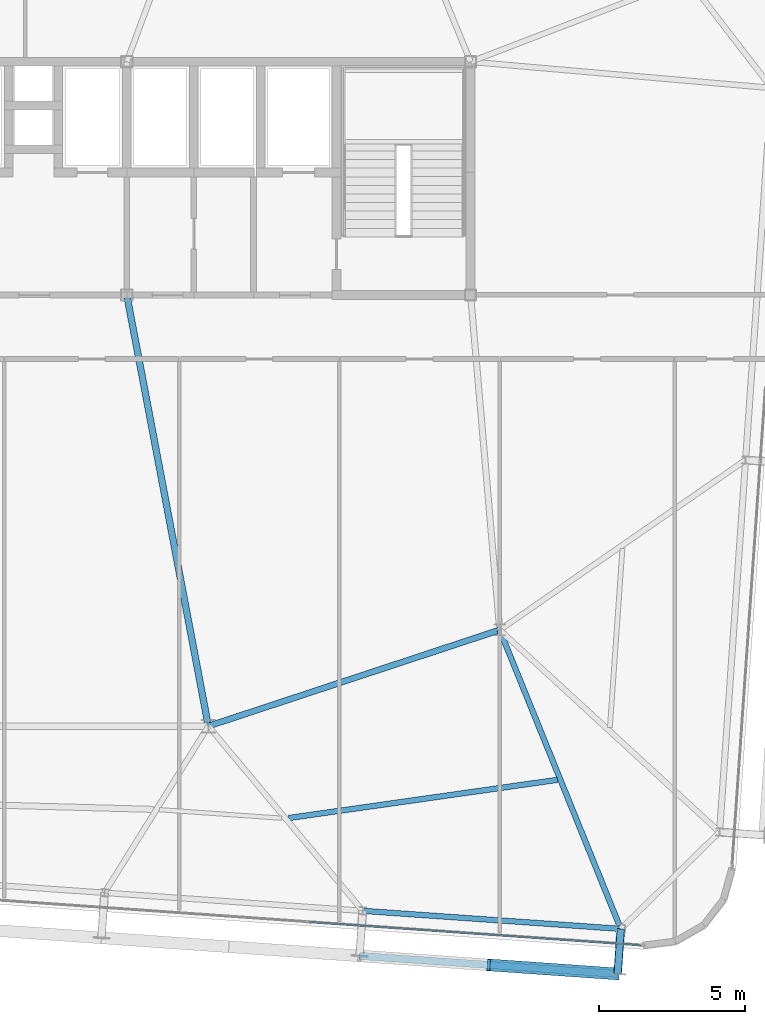
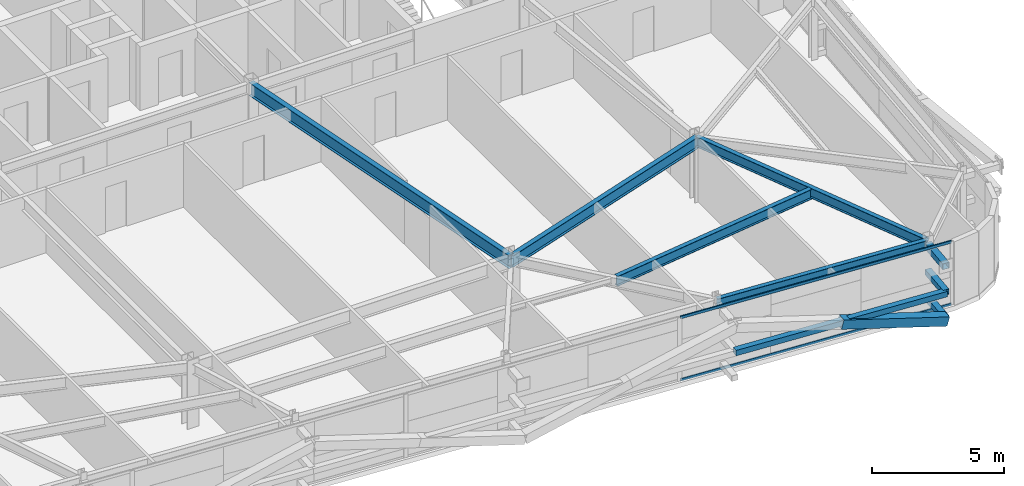
# One storey, part 14 of 39: 7 members, 5 beams, 1 element without a shape of its own.
"""IFC4 building model written with IfcOpenShell, lengths in metres."""

from ifc_helpers import new_model, si_unit, direction, frame, origin, origin_2d, place, context, subcontext, project, spatial, hollow_rectangle, i_section, extrude, source, transform, mapped, material, layer, layer_set, material_profile, profile_set, type_object, element, aggregate, save


model = new_model("IFC4")

# Units and contexts
model_context = context("Model", 3, precision=1e-05, world=origin(), true_north=direction((0.0, 1.0)))
body_context = subcontext(model_context, "Body", "Model", "MODEL_VIEW")
ifc_project = project(units=[si_unit("LENGTHUNIT", "METRE"), si_unit("AREAUNIT", "SQUARE_METRE"), si_unit("VOLUMEUNIT", "CUBIC_METRE"), si_unit("PLANEANGLEUNIT", "RADIAN"), si_unit("MASSUNIT", "GRAM", prefix="KILO")], contexts=[model_context])

# Site, building, storey
site_placement = place(None, origin())
site = spatial("IfcSite", under=ifc_project, at=site_placement, CompositionType="ELEMENT")
building_placement = place(site_placement, origin())
building = spatial("IfcBuilding", under=site, at=building_placement, Name="Taldren Reach Tower", CompositionType="ELEMENT")
storey_placement = place(building_placement, frame((0.0, 0.0, 123.550048828125)))
storey = spatial("IfcBuildingStorey", under=building, at=storey_placement, Name="L37", CompositionType="ELEMENT", Elevation=123.550048828125)

# Beams
ifc_material_1 = material(Name="Steel Gr 350 (350PLUS)", Category="steel")
ifc_material_profile_1 = material_profile(ifc_material_1, i_section(OverallWidth=0.208984375, OverallDepth=0.532958984375, WebThickness=0.01025390625, FlangeThickness=0.015625, at=origin_2d()), Name="530UB92.4")
ifc_profile_set_1 = profile_set([ifc_material_profile_1], Name="Steel Gr 350 (350PLUS)")
beam_type_1 = type_object("IfcBeamType", Name="BM-UB530A", PredefinedType="BEAM", material=ifc_profile_set_1)
shared_shape_1 = source(origin(), body_context, "Body", "SweptSolid", [
    extrude(i_section(OverallWidth=0.208984375, OverallDepth=0.532958984375, WebThickness=0.01025390625, FlangeThickness=0.015625, at=origin_2d()), origin(), (0.0, 0.0, 1.0), 10.530517578125),
])
beam_1_placement = place(storey_placement, frame((42.0, 9.199951171875, 2.663330078125), z_axis=(0.949627269203, 0.313381635689, 0.0), x_axis=(-0.313381635689, 0.949627269203, 0.0)))
element("IfcBeam", 1, at=beam_1_placement, inside=storey, type_object=beam_type_1, Name="Core-spine girder L37-SP12", PredefinedType="BEAM", context=body_context, shape_type="MappedRepresentation", body=[
    mapped(shared_shape_1, transform((0.0, 0.0, 0.0), scale=1.0)),
])
ifc_material_profile_2 = material_profile(ifc_material_1, i_section(OverallWidth=0.22802734375, OverallDepth=0.60205078125, WebThickness=0.010498046875, FlangeThickness=0.014892578125, at=origin_2d()), Name="610UB101")
ifc_profile_set_2 = profile_set([ifc_material_profile_2], Name="Steel Gr 350 (350PLUS)")
beam_type_2 = type_object("IfcBeamType", Name="BM-UB610B", PredefinedType="BEAM", material=ifc_profile_set_2)
shared_shape_2 = source(origin(), body_context, "Body", "SweptSolid", [
    extrude(i_section(OverallWidth=0.22802734375, OverallDepth=0.60205078125, WebThickness=0.010498046875, FlangeThickness=0.014892578125, at=origin_2d()), origin(), (0.0, 0.0, 1.0), 15.0625),
])
beam_2_placement = place(storey_placement, frame((39.199951171875, 24.0, 2.62890625), z_axis=(0.185894205668, -0.982569765614, 0.0), x_axis=(0.982569765614, 0.185894205668, 0.0)))
element("IfcBeam", 2, at=beam_2_placement, inside=storey, type_object=beam_type_2, Name="Core-spine girder L37-SP15", PredefinedType="BEAM", context=body_context, shape_type="MappedRepresentation", body=[
    mapped(shared_shape_2, transform((0.0, 0.0, 0.0), scale=1.0)),
])

# Members
ifc_material_2 = material(Name="Steel Gr 450 (C450L0)", Category="steel")
ifc_material_profile_3 = material_profile(ifc_material_2, hollow_rectangle(XDim=0.27490234375, YDim=0.27490234375, WallThickness=0.00927734375, at=origin_2d()), Name="275x275x9.3SHS")
ifc_profile_set_3 = profile_set([ifc_material_profile_3], Name="Steel Gr 450 (C450L0)")
member_type_1 = type_object("IfcMemberType", Name="MB-TIE273", PredefinedType="STRUT", material=ifc_profile_set_3)
shared_shape_3 = source(origin(), body_context, "Body", "SweptSolid", [
    extrude(hollow_rectangle(XDim=0.27490234375, YDim=0.27490234375, WallThickness=0.00927734375, at=origin_2d()), origin(), (0.0, 0.0, 1.0), 1.5498046875),
])
member_1_placement = place(storey_placement, frame((56.155517578125, 2.2412109375, 2.64990234375), z_axis=(-0.069780535098, -0.997562367434, 0.0), x_axis=(0.997562367434, -0.069780535098, 0.0)))
element("IfcMember", 3, at=member_1_placement, inside=storey, type_object=member_type_1, Name="Exoskeleton diaphragm tie strut B3-S6 L37", PredefinedType="STRUT", context=body_context, shape_type="MappedRepresentation", body=[
    mapped(shared_shape_3, transform((0.0, 0.0, 0.0), scale=1.0)),
])
ifc_material_3 = material(Name="Steel Gr 350 (C350L0)", Category="steel")
ifc_material_profile_4 = material_profile(ifc_material_3, hollow_rectangle(XDim=0.25, YDim=0.25, WallThickness=0.010009765625, at=origin_2d()), Name="250x250x10.0SHS")
ifc_profile_set_4 = profile_set([ifc_material_profile_4], Name="Steel Gr 350 (C350L0)")
member_type_2 = type_object("IfcMemberType", Name="MB-POST250", PredefinedType="POST", material=ifc_profile_set_4)
shared_shape_4 = source(origin(), body_context, "Body", "SweptSolid", [
    extrude(hollow_rectangle(XDim=0.25, YDim=0.25, WallThickness=0.010009765625, at=origin_2d()), origin(), (0.0, 0.0, 1.0), 1.5498046875),
])
for number, where, z_axis, x_axis, name in (
    (4, (56.155517578125, 2.2412109375, 0.219970703125), (-0.069780535098, -0.997562367434, 0.0), (0.997562367434, -0.069780535098, 0.0), "Exoskeleton base diaphragm tie strut B3-S6 L37"),
    (5, (56.155517578125, 2.2412109375, 1.43505859375), (-0.069780535098, -0.997562367434, 0.0), (0.997562367434, -0.069780535098, 0.0), "Exoskeleton mid-tier diaphragm tie B3-S6 L37"),
):
    element("IfcMember", number, at=place(storey_placement, frame(where, z_axis=z_axis, x_axis=x_axis)), inside=storey, type_object=member_type_2, Name=name, PredefinedType="POST", context=body_context, shape_type="MappedRepresentation", body=[
        mapped(shared_shape_4, transform((0.0, 0.0, 0.0), scale=1.0)),
    ])

# Beams
ifc_material_profile_5 = material_profile(ifc_material_1, i_section(OverallWidth=0.18994140625, OverallDepth=0.4541015625, WebThickness=0.008544921875, FlangeThickness=0.0126953125, at=origin_2d()), Name="460UB67.1")
ifc_profile_set_5 = profile_set([ifc_material_profile_5], Name="Steel Gr 350 (350PLUS)")
beam_type_3 = type_object("IfcBeamType", Name="SP-UB460B", PredefinedType="SPANDREL", material=ifc_profile_set_5)
shared_shape_5 = source(origin(), body_context, "Body", "SweptSolid", [
    extrude(i_section(OverallWidth=0.18994140625, OverallDepth=0.4541015625, WebThickness=0.008544921875, FlangeThickness=0.0126953125, at=origin_2d()), origin(), (0.0, 0.0, 1.0), 8.880126953125),
])
beam_3_placement = place(storey_placement, frame((47.297119140625, 2.860595703125, 2.702880859375), z_axis=(0.997564479639, -0.069750333063, 0.0), x_axis=(0.069750333063, 0.997564479639, 0.0)))
element("IfcBeam", 6, at=beam_3_placement, inside=storey, type_object=beam_type_3, Name="Perimeter spandrel B3 S5-S6 L37", PredefinedType="SPANDREL", context=body_context, shape_type="MappedRepresentation", body=[
    mapped(shared_shape_5, transform((0.0, 0.0, 0.0), scale=1.0)),
])
ifc_material_profile_6 = material_profile(ifc_material_1, i_section(OverallWidth=0.19091796875, OverallDepth=0.4599609375, WebThickness=0.010009765625, FlangeThickness=0.01611328125, at=origin_2d()), Name="460UB82.1")
ifc_profile_set_6 = profile_set([ifc_material_profile_6], Name="Steel Gr 350 (350PLUS)")
beam_type_4 = type_object("IfcBeamType", Name="BM-UB460A", PredefinedType="BEAM", material=ifc_profile_set_6)
shared_shape_6 = source(origin(), body_context, "Body", "SweptSolid", [
    extrude(i_section(OverallWidth=0.19091796875, OverallDepth=0.4599609375, WebThickness=0.010009765625, FlangeThickness=0.01611328125, at=origin_2d()), origin(), (0.0, 0.0, 1.0), 11.068359375),
])
beam_4_placement = place(storey_placement, frame((52.0, 12.5, 2.699951171875), z_axis=(0.375437319636, -0.92684778633, 0.0), x_axis=(0.92684778633, 0.375437319636, 0.0)))
element("IfcBeam", 7, at=beam_4_placement, inside=storey, type_object=beam_type_4, Name="Primary floor girder B3-S6 L37", PredefinedType="BEAM", context=body_context, shape_type="MappedRepresentation", body=[
    mapped(shared_shape_6, transform((0.0, 0.0, 0.0), scale=1.0)),
])
shared_shape_7 = source(origin(), body_context, "Body", "SweptSolid", [
    extrude(i_section(OverallWidth=0.19091796875, OverallDepth=0.4599609375, WebThickness=0.010009765625, FlangeThickness=0.01611328125, at=origin_2d()), origin(), (0.0, 0.0, 1.0), 9.313232421875),
])
beam_5_placement = place(storey_placement, frame((44.759765625, 6.046142578125, 2.699951171875), z_axis=(0.990049385514, 0.140720340547, 0.0), x_axis=(-0.140720340547, 0.990049385514, 0.0)))
element("IfcBeam", 8, at=beam_5_placement, inside=storey, type_object=beam_type_4, Name="Secondary floor beam B3 J5 L37", PredefinedType="BEAM", context=body_context, shape_type="MappedRepresentation", body=[
    mapped(shared_shape_7, transform((0.0, 0.0, 0.0), scale=1.0)),
])

# Members
shared_shape_8 = source(origin(), body_context, "Body", "SweptSolid", [
    extrude(hollow_rectangle(XDim=0.25, YDim=0.25, WallThickness=0.010009765625, at=origin_2d()), origin(), (0.0, 0.0, 1.0), 8.880126953125),
])
member_2_placement = place(storey_placement, frame((47.18896484375, 1.314453125, 1.43505859375), z_axis=(0.997564479639, -0.069750333063, 0.0), x_axis=(0.069750333063, 0.997564479639, 0.0)))
element("IfcMember", 9, at=member_2_placement, inside=storey, type_object=member_type_2, Name="Exoskeleton mid-height ring chord B3-S5 L37", PredefinedType="POST", context=body_context, shape_type="MappedRepresentation", body=[
    mapped(shared_shape_8, transform((0.0, 0.0, 0.0), scale=1.0)),
])
ifc_material_profile_7 = material_profile(ifc_material_2, hollow_rectangle(XDim=0.409912109375, YDim=0.409912109375, WallThickness=0.01611328125, at=origin_2d()), Name="410x410x16.0SHS")
ifc_profile_set_7 = profile_set([ifc_material_profile_7], Name="Steel Gr 450 (C450L0)")
member_type_3 = type_object("IfcMemberType", Name="MB-EXO406", PredefinedType="BRACE", material=ifc_profile_set_7)
shared_shape_9 = source(origin(), body_context, "Body", "SweptSolid", [
    extrude(hollow_rectangle(XDim=0.409912109375, YDim=0.409912109375, WallThickness=0.01611328125, at=origin_2d()), origin(), (0.0, 0.0, 1.0), 4.603271484375),
])
member_3_placement = place(storey_placement, frame((56.04736328125, 0.695068359375, 0.219970703125), z_axis=(-0.962185784239, 0.067250114343, 0.263962002434), x_axis=(-0.069722973508, -0.997566392259, 0.0)))
element("IfcMember", 10, at=member_3_placement, inside=storey, type_object=member_type_3, Name="Exoskeleton Diagrid Brace B3-S5 L37", PredefinedType="BRACE", context=body_context, shape_type="MappedRepresentation", body=[
    mapped(shared_shape_9, transform((0.0, 0.0, 0.0), scale=1.0)),
])

# Curtain wall, members
ifc_material_4 = material(Name="Aluminium and Low-E Glass Unitised System", Category="aluminium")
ifc_layer = layer(ifc_material_4, 0.159912109375)
ifc_layer_set = layer_set([ifc_layer], Name="Aluminium and Low-E Glass Unitised System")
curtain_wall_type = type_object("IfcCurtainWallType", Name="CW-SYS-4", PredefinedType="NOTDEFINED", material=ifc_layer_set)
curtain_wall_placement = place(storey_placement, origin())
curtain_wall = element("IfcCurtainWall", 11, at=curtain_wall_placement, inside=storey, type_object=curtain_wall_type, Name="Unitised curtain wall CW-L37-S", PredefinedType="NOTDEFINED")
ifc_material_5 = material(Name="Anodised Aluminium 6063-T6", Category="aluminium")
ifc_material_profile_8 = material_profile(ifc_material_5, hollow_rectangle(XDim=0.054931640625, YDim=0.1201171875, WallThickness=0.0029296875, at=origin_2d()), Name="ALU-120x55x3RHS")
ifc_profile_set_8 = profile_set([ifc_material_profile_8], Name="Anodised Aluminium 6063-T6")
member_type_4 = type_object("IfcMemberType", Name="CW-TRN-135", PredefinedType="USERDEFINED", material=ifc_profile_set_8)
shared_shape_10 = source(origin(), body_context, "Body", "SweptSolid", [
    extrude(hollow_rectangle(XDim=0.054931640625, YDim=0.1201171875, WallThickness=0.0029296875, at=origin_2d()), origin(), (0.0, 0.0, 1.0), 11.395263671875),
])
member_4_placement = place(storey_placement, frame((45.480712890625, 2.476318359375, 0.02734375), z_axis=(0.997565335668, -0.069738089122, 0.0), x_axis=(0.069738089122, 0.997565335668, 0.0)))
member_4 = element("IfcMember", 12, at=member_4_placement, type_object=member_type_4, Name="CW-4 transom 4.1", ObjectType="TRANSOM", PredefinedType="USERDEFINED", context=body_context, shape_type="MappedRepresentation", body=[
    mapped(shared_shape_10, transform((0.0, 0.0, 0.0), scale=1.0)),
])
member_5_placement = place(storey_placement, frame((45.480712890625, 2.476318359375, 2.90234375), z_axis=(0.997565335668, -0.069738089122, 0.0), x_axis=(0.069738089122, 0.997565335668, 0.0)))
member_5 = element("IfcMember", 13, at=member_5_placement, type_object=member_type_4, Name="CW-4 transom 4.2", ObjectType="TRANSOM", PredefinedType="USERDEFINED", context=body_context, shape_type="MappedRepresentation", body=[
    mapped(shared_shape_10, transform((0.0, 0.0, 0.0), scale=1.0)),
])
aggregate(curtain_wall, [member_4, member_5])

save(model, "model.ifc")
